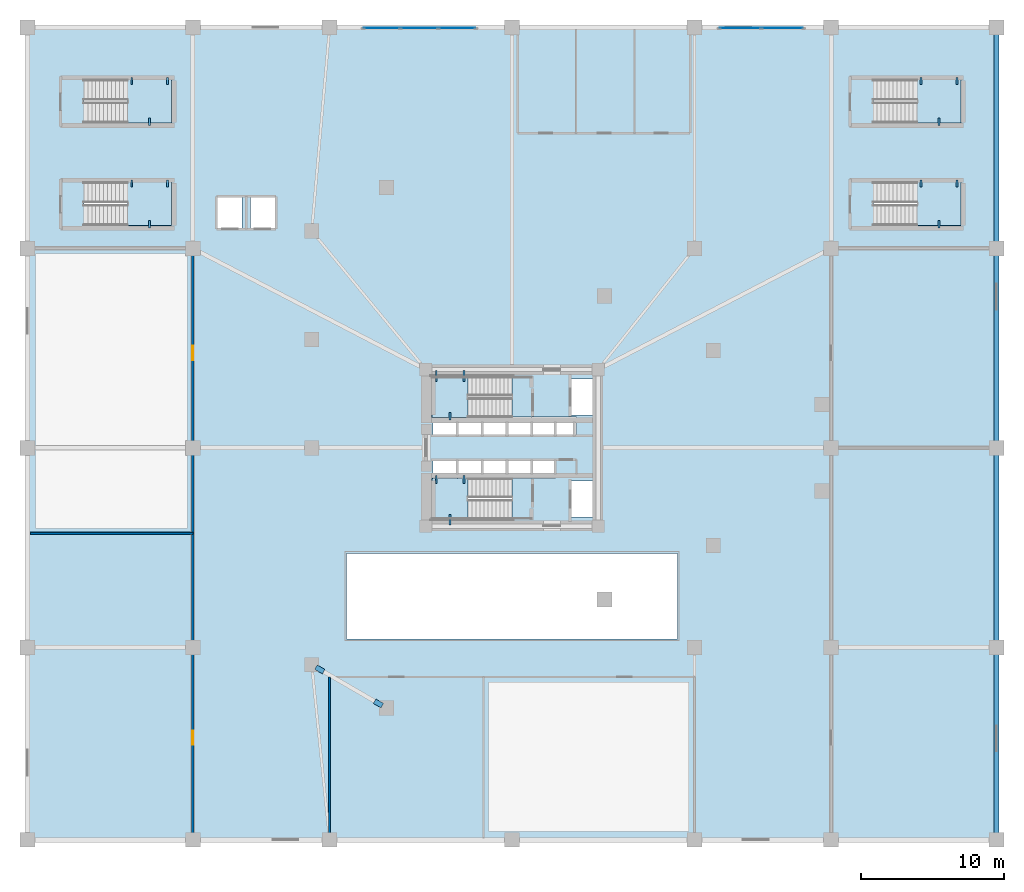
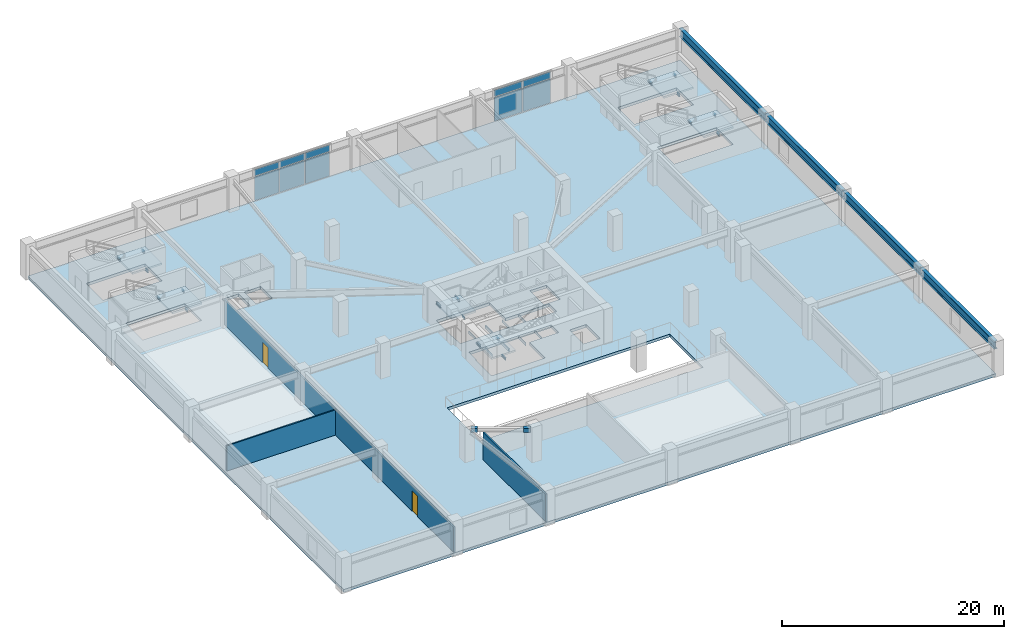
# One storey, part 3 of 16: 22 beams, 12 plates, 7 slabs, 3 walls, 2 doors, 2 openings, 8 elements without a shape of their own.
"""IFC4 building model written with IfcOpenShell, lengths in metres."""

import ifcopenshell
import ifcopenshell.guid

model = None  # the IFC model being written
_history = None  # IfcOwnerHistory: only IFC2X3 demands one
_inside = {}  # id of a spatial element -> (the spatial element, [elements in it])
_under = {}  # id of a project, library or spatial element -> (it, [spatial elements below it])
_declared = {}  # id of a project -> (the project, [libraries it declares])
_typed = {}  # id of a type object -> (the type object, [elements of that type])
_made_of = {}  # id of a material, layer set ... -> (it, [elements and type objects made of it])


def new_model(schema):
    """Start an empty IFC model of exactly this schema.

    Asked for "IFC4X3", IfcOpenShell would pick the latest addendum, in which some entities
    have other attributes; the version numbers below select the first issue.
    IFC2X3 requires an IfcOwnerHistory on every rooted entity: one is made here for all.
    """
    global model, _history
    if schema == "IFC4X3":
        model = ifcopenshell.file(schema_version=(4, 3, 0, 0))
    else:
        model = ifcopenshell.file(schema=schema)
    _inside.clear()
    _under.clear()
    _declared.clear()
    _typed.clear()
    _made_of.clear()
    _history = None
    if model.schema == "IFC2X3":
        org = make("IfcOrganization", Name="unknown")
        user = make(
            "IfcPersonAndOrganization",
            ThePerson=make("IfcPerson", FamilyName="unknown"),
            TheOrganization=org,
        )
        app = make(
            "IfcApplication",
            ApplicationDeveloper=org,
            Version="unknown",
            ApplicationFullName="unknown",
            ApplicationIdentifier="unknown",
        )
        _history = make(
            "IfcOwnerHistory",
            OwningUser=user,
            OwningApplication=app,
            ChangeAction="ADDED",
            CreationDate=0,
        )
    return model


def make(cls, **values):
    """One entity of the class cls with the attributes given. An attribute that is None is left unset."""
    return model.create_entity(
        cls, **{name: value for name, value in values.items() if value is not None}
    )


def rooted(cls, **values):
    """An entity with a GlobalId (a new one), such as an element, a storey or a relation."""
    return make(cls, GlobalId=ifcopenshell.guid.new(), OwnerHistory=_history, **values)


def si_unit(unit_type, name, prefix=None):
    """IfcSIUnit, for example si_unit("LENGTHUNIT", "METRE", prefix="MILLI")."""
    return make("IfcSIUnit", UnitType=unit_type, Prefix=prefix, Name=name)


def assignment(units):
    """IfcUnitAssignment: the units of a project."""
    return None if units is None else make("IfcUnitAssignment", Units=units)


def point(xyz):
    """IfcCartesianPoint."""
    return None if xyz is None else make("IfcCartesianPoint", Coordinates=xyz)


def direction(xyz):
    """IfcDirection."""
    return None if xyz is None else make("IfcDirection", DirectionRatios=xyz)


def frame(location, z_axis=None, x_axis=None):
    """IfcAxis2Placement3D, a coordinate frame: its origin and axes. An axis left out is left unset."""
    return make(
        "IfcAxis2Placement3D",
        Location=point(location),
        Axis=direction(z_axis),
        RefDirection=direction(x_axis),
    )


def frame_2d(location, x_axis=None):
    """IfcAxis2Placement2D, a coordinate frame in the plane: its origin and x axis."""
    return make(
        "IfcAxis2Placement2D", Location=point(location), RefDirection=direction(x_axis)
    )


def origin():
    """The frame at (0, 0, 0) with its axes left unset."""
    return frame((0.0, 0.0, 0.0))


def origin_2d():
    """The frame at (0, 0) in the plane with its x axis left unset."""
    return frame_2d((0.0, 0.0))


def place(relative_to, where):
    """IfcLocalPlacement: puts the frame where relative to a parent placement (None: the world)."""
    return make(
        "IfcLocalPlacement", PlacementRelTo=relative_to, RelativePlacement=where
    )


def context(
    kind, dimensions, precision=None, world=None, true_north=None, identifier=None
):
    """IfcGeometricRepresentationContext, for example the 3D "Model" context."""
    return make(
        "IfcGeometricRepresentationContext",
        ContextIdentifier=identifier,
        ContextType=kind,
        CoordinateSpaceDimension=dimensions,
        Precision=precision,
        WorldCoordinateSystem=world,
        TrueNorth=true_north,
    )


def subcontext(parent, identifier, kind, view, scale=None):
    """IfcGeometricRepresentationSubContext, for example "Body" below "Model"."""
    return make(
        "IfcGeometricRepresentationSubContext",
        ContextIdentifier=identifier,
        ContextType=kind,
        ParentContext=parent,
        TargetScale=scale,
        TargetView=view,
    )


def project(units=None, contexts=None):
    """IfcProject with its units and contexts."""
    return rooted(
        "IfcProject",
        Name="project",
        RepresentationContexts=contexts,
        UnitsInContext=assignment(units),
    )


def spatial(cls, under=None, at=None, **own):
    """A site, building, storey or space (cls), placed at a placement, below another one or the project."""
    s = rooted(cls, ObjectPlacement=at, **own)
    if under is not None:
        _under.setdefault(under.id(), (under, []))[1].append(s)
    return s


def polyline(points):
    """IfcPolyline through the points."""
    return make("IfcPolyline", Points=[point(p) for p in points])


def profile(cls, at=None, kind="AREA", **sizes):
    """A parametric profile (cls). Its sizes go by their IFC names, for example OverallWidth=200.0."""
    return make(cls, ProfileType=kind, Position=at, **sizes)


def rectangle(**sizes):
    """IfcRectangleProfileDef."""
    return profile("IfcRectangleProfileDef", **sizes)


def i_section(**sizes):
    """IfcIShapeProfileDef."""
    return profile("IfcIShapeProfileDef", **sizes)


def outline(outer, holes=None, kind="AREA"):
    """IfcArbitraryClosedProfileDef: a profile drawn as a closed curve; with holes, ...WithVoids."""
    if holes is None:
        return make("IfcArbitraryClosedProfileDef", ProfileType=kind, OuterCurve=outer)
    return make(
        "IfcArbitraryProfileDefWithVoids",
        ProfileType=kind,
        OuterCurve=outer,
        InnerCurves=holes,
    )


def extrude(swept, where, along, depth):
    """IfcExtrudedAreaSolid: the profile swept, set in the frame where, extruded along a direction by depth."""
    return make(
        "IfcExtrudedAreaSolid",
        SweptArea=swept,
        Position=where,
        ExtrudedDirection=direction(along),
        Depth=depth,
    )


def shape(context_of_items, identifier, shape_type, items):
    """IfcShapeRepresentation: the items that make up one representation, for example the "Body"."""
    return make(
        "IfcShapeRepresentation",
        ContextOfItems=context_of_items,
        RepresentationIdentifier=identifier,
        RepresentationType=shape_type,
        Items=items,
    )


def source(mapping_origin, context_of_items, identifier, shape_type, items):
    """IfcRepresentationMap: a shape defined once, which mapped items show again and again."""
    return make(
        "IfcRepresentationMap",
        MappingOrigin=mapping_origin,
        MappedRepresentation=shape(context_of_items, identifier, shape_type, items),
    )


def transform(
    local_origin,
    x_axis=None,
    y_axis=None,
    z_axis=None,
    scale=None,
    scale2=None,
    scale3=None,
    uniform=True,
):
    """IfcCartesianTransformationOperator3D, or its non-uniform kind. x_axis, y_axis, z_axis: its Axis1, 2, 3."""
    if uniform:
        return make(
            "IfcCartesianTransformationOperator3D",
            Axis1=direction(x_axis),
            Axis2=direction(y_axis),
            LocalOrigin=point(local_origin),
            Scale=scale,
            Axis3=direction(z_axis),
        )
    return make(
        "IfcCartesianTransformationOperator3DnonUniform",
        Axis1=direction(x_axis),
        Axis2=direction(y_axis),
        LocalOrigin=point(local_origin),
        Scale=scale,
        Axis3=direction(z_axis),
        Scale2=scale2,
        Scale3=scale3,
    )


def mapped(mapping_source, mapping_target):
    """IfcMappedItem: shows the shape of a source again, moved by a transform."""
    return make(
        "IfcMappedItem", MappingSource=mapping_source, MappingTarget=mapping_target
    )


def material(Name=None, Category=None):
    """IfcMaterial."""
    return make("IfcMaterial", Name=Name, Category=Category)


def layer(
    of_material, thickness, ventilated=None, Name=None, Category=None, Priority=None
):
    """IfcMaterialLayer: one layer of a wall or slab, of a material (None: an air gap)."""
    return make(
        "IfcMaterialLayer",
        Material=of_material,
        LayerThickness=thickness,
        IsVentilated=ventilated,
        Name=Name,
        Category=Category,
        Priority=Priority,
    )


def layer_set(layers, Name=None):
    """IfcMaterialLayerSet."""
    return make("IfcMaterialLayerSet", MaterialLayers=layers, LayerSetName=Name)


def material_profile(
    of_material, cross_section, Name=None, Category=None, Priority=None
):
    """IfcMaterialProfile: a cross section and its material."""
    return make(
        "IfcMaterialProfile",
        Name=Name,
        Material=of_material,
        Profile=cross_section,
        Priority=Priority,
        Category=Category,
    )


def profile_set(profiles, Name=None, composite=None):
    """IfcMaterialProfileSet."""
    return make(
        "IfcMaterialProfileSet",
        Name=Name,
        MaterialProfiles=profiles,
        CompositeProfile=composite,
    )


def made_of(thing, what):
    """Note that an element or type object is made of a material, layer set ...; save() writes the relation."""
    if what is not None:
        _made_of.setdefault(what.id(), (what, []))[1].append(thing)
    return thing


def type_object(cls, material=None, **own):
    """A type object (cls), such as IfcWallType, which elements share."""
    return made_of(rooted(cls, **own), material)


def element(
    cls,
    number,
    at=None,
    inside=None,
    cuts=None,
    type_object=None,
    material=None,
    context=None,
    identifier="Body",
    shape_type=None,
    held_by="IfcProductDefinitionShape",
    body=None,
    shapes=None,
    **own,
):
    """One element of the class cls, such as IfcWall. Its Tag is "e" and its number.

    at: its placement. inside: the storey or other place that contains it. cuts: it is an
    opening in that element (IfcRelVoidsElement). A single representation is given by context,
    identifier, shape_type and body (its items); several are given by shapes. held_by: the class
    of the entity that holds the representations. save() writes the other relations.
    """
    e = rooted(cls, Tag="e%d" % number, ObjectPlacement=at, **own)
    if body is not None:
        shapes = [shape(context, identifier, shape_type, body)]
    if shapes is not None:
        e.Representation = make(held_by, Representations=shapes)
    if inside is not None:
        _inside.setdefault(inside.id(), (inside, []))[1].append(e)
    if cuts is not None:
        rooted(
            "IfcRelVoidsElement", RelatingBuildingElement=cuts, RelatedOpeningElement=e
        )
    if type_object is not None:
        _typed.setdefault(type_object.id(), (type_object, []))[1].append(e)
    return made_of(e, material)


def fill(opening, filler):
    """IfcRelFillsElement: the door or window that sits in an opening."""
    return rooted(
        "IfcRelFillsElement",
        RelatingOpeningElement=opening,
        RelatedBuildingElement=filler,
    )


def aggregate(whole, parts):
    """IfcRelAggregates: a whole, such as a stair, and the parts it consists of."""
    return rooted("IfcRelAggregates", RelatingObject=whole, RelatedObjects=parts)


def save(model, path):
    """Write the relations noted so far, then the file.

    IfcRelAggregates (storeys below a building ...), IfcRelContainedInSpatialStructure (elements
    in a storey), IfcRelDefinesByType, IfcRelAssociatesMaterial and IfcRelDeclares: one each for
    every whole, place, type object, material and project.
    """
    for whole, parts in _under.values():
        aggregate(whole, parts)
    for where, things in _inside.values():
        rooted(
            "IfcRelContainedInSpatialStructure",
            RelatedElements=things,
            RelatingStructure=where,
        )
    for kind, things in _typed.values():
        rooted("IfcRelDefinesByType", RelatedObjects=things, RelatingType=kind)
    for what, things in _made_of.values():
        rooted("IfcRelAssociatesMaterial", RelatedObjects=things, RelatingMaterial=what)
    for by, libraries in _declared.values():
        rooted("IfcRelDeclares", RelatingContext=by, RelatedDefinitions=libraries)
    model.write(path)


model = new_model("IFC4")

# Units and contexts
model_context = context("Model", 3, precision=1e-05, world=origin(), true_north=direction((0.0, 1.0)))
body_context = subcontext(model_context, "Body", "Model", "MODEL_VIEW")
ifc_project = project(units=[si_unit("LENGTHUNIT", "METRE"), si_unit("AREAUNIT", "SQUARE_METRE"), si_unit("VOLUMEUNIT", "CUBIC_METRE"), si_unit("PLANEANGLEUNIT", "RADIAN"), si_unit("MASSUNIT", "GRAM", prefix="KILO")], contexts=[model_context])

# Site, building, storey
site_placement = place(None, origin())
site = spatial("IfcSite", under=ifc_project, at=site_placement, CompositionType="ELEMENT")
building_placement = place(site_placement, origin())
building = spatial("IfcBuilding", under=site, at=building_placement, Name="Yunling Apex Tower", CompositionType="ELEMENT")
storey_placement = place(building_placement, frame((0.0, 0.0, 4.5)))
storey = spatial("IfcBuildingStorey", under=building, at=storey_placement, Name="L02", CompositionType="ELEMENT", Elevation=4.5)

# Beams
ifc_material_1 = material(Name="Steel Q355B", Category="steel")
ifc_material_profile_1 = material_profile(ifc_material_1, i_section(OverallWidth=0.125, OverallDepth=0.25, WebThickness=0.006103515625, FlangeThickness=0.009033203125, FilletRadius=0.011962890625, at=origin_2d()))
ifc_profile_set_1 = profile_set([ifc_material_profile_1], Name="Steel Q355B")
beam_type_1 = type_object("IfcBeamType", Name="BL-LNT-1", PredefinedType="LINTEL", material=ifc_profile_set_1)
shared_shape_1 = source(origin(), body_context, "Body", "SweptSolid", [
    extrude(i_section(OverallWidth=0.125, OverallDepth=0.25, WebThickness=0.006103515625, FlangeThickness=0.009033203125, FilletRadius=0.011962890625, at=origin_2d()), origin(), (0.0, 0.0, 1.0), 0.760009765625),
])
for number, where, z_axis, x_axis, name in (
    (1, (-5.320068359375, 5.419921875, 1.6298828125), (0.0, -1.0, 0.0), (1.0, 0.0, 0.0), "L02 ST-1 Landing Bearing Corbel 1-1"),
    (2, (-3.3701171875, 5.419921875, 1.6298828125), (0.0, -1.0, 0.0), (1.0, 0.0, 0.0), "L02 ST-1 Landing Bearing Corbel 1-2"),
    (3, (-4.344970703125, -5.419921875, 1.6298828125), (0.0, 1.0, 0.0), (-1.0, 0.0, 0.0), "L02 ST-2 Landing Bearing Corbel 1-3"),
):
    element("IfcBeam", number, at=place(storey_placement, frame(where, z_axis=z_axis, x_axis=x_axis)), inside=storey, type_object=beam_type_1, Name=name, PredefinedType="LINTEL", context=body_context, shape_type="MappedRepresentation", body=[
        mapped(shared_shape_1, transform((0.0, 0.0, 0.0), scale=1.0)),
    ])
shared_shape_2 = source(origin(), body_context, "Body", "SweptSolid", [
    extrude(i_section(OverallWidth=0.125, OverallDepth=0.25, WebThickness=0.006103515625, FlangeThickness=0.009033203125, FilletRadius=0.011962890625, at=origin_2d()), origin(), (0.0, 0.0, 1.0), 0.550048828125),
])
for number, where, z_axis, x_axis, name in (
    (4, (-4.344970703125, 1.93994140625, 1.6298828125), (0.0, 1.0, 0.0), (-1.0, 0.0, 0.0), "L02 ST-1 Landing Bearing Corbel 1-3"),
    (5, (-5.320068359375, -1.93994140625, 1.6298828125), (0.0, -1.0, 0.0), (1.0, 0.0, 0.0), "L02 ST-2 Landing Bearing Corbel 1-1"),
    (6, (-3.3701171875, -1.93994140625, 1.6298828125), (0.0, -1.0, 0.0), (1.0, 0.0, 0.0), "L02 ST-2 Landing Bearing Corbel 1-2"),
):
    element("IfcBeam", number, at=place(storey_placement, frame(where, z_axis=z_axis, x_axis=x_axis)), inside=storey, type_object=beam_type_1, Name=name, PredefinedType="LINTEL", context=body_context, shape_type="MappedRepresentation", body=[
        mapped(shared_shape_2, transform((0.0, 0.0, 0.0), scale=1.0)),
    ])
shared_shape_3 = source(origin(), body_context, "Body", "SweptSolid", [
    extrude(i_section(OverallWidth=0.125, OverallDepth=0.25, WebThickness=0.006103515625, FlangeThickness=0.009033203125, FilletRadius=0.011962890625, at=origin_2d()), origin(), (0.0, 0.0, 1.0), 0.47998046875),
])
for number, where, z_axis, x_axis, name in (
    (7, (-26.68994140625, 18.780029296875, 1.6298828125), (0.0, -1.0, 0.0), (1.0, 0.0, 0.0), "L02 ST-P1 Landing Bearing Corbel 1-1"),
    (8, (-24.179931640625, 18.780029296875, 1.6298828125), (0.0, -1.0, 0.0), (1.0, 0.0, 0.0), "L02 ST-P1 Landing Bearing Corbel 1-2"),
    (9, (28.7099609375, 18.780029296875, 1.6298828125), (0.0, -1.0, 0.0), (1.0, 0.0, 0.0), "L02 ST-P2 Landing Bearing Corbel 1-1"),
    (10, (31.219970703125, 18.780029296875, 1.6298828125), (0.0, -1.0, 0.0), (1.0, 0.0, 0.0), "L02 ST-P2 Landing Bearing Corbel 1-2"),
    (11, (-26.68994140625, 25.97998046875, 1.6298828125), (0.0, -1.0, 0.0), (1.0, 0.0, 0.0), "L02 ST-G1 Landing Bearing Corbel 1-1"),
    (12, (-24.179931640625, 25.97998046875, 1.6298828125), (0.0, -1.0, 0.0), (1.0, 0.0, 0.0), "L02 ST-G1 Landing Bearing Corbel 1-2"),
    (13, (28.7099609375, 25.97998046875, 1.6298828125), (0.0, -1.0, 0.0), (1.0, 0.0, 0.0), "L02 ST-G2 Landing Bearing Corbel 1-1"),
    (14, (31.219970703125, 25.97998046875, 1.6298828125), (0.0, -1.0, 0.0), (1.0, 0.0, 0.0), "L02 ST-G2 Landing Bearing Corbel 1-2"),
):
    element("IfcBeam", number, at=place(storey_placement, frame(where, z_axis=z_axis, x_axis=x_axis)), inside=storey, type_object=beam_type_1, Name=name, PredefinedType="LINTEL", context=body_context, shape_type="MappedRepresentation", body=[
        mapped(shared_shape_3, transform((0.0, 0.0, 0.0), scale=1.0)),
    ])
shared_shape_4 = source(origin(), body_context, "Body", "SweptSolid", [
    extrude(i_section(OverallWidth=0.125, OverallDepth=0.25, WebThickness=0.006103515625, FlangeThickness=0.009033203125, FilletRadius=0.011962890625, at=origin_2d()), origin(), (0.0, 0.0, 1.0), 0.530029296875),
])
for number, where, z_axis, x_axis, name in (
    (15, (-25.43505859375, 15.419921875, 1.6298828125), (0.0, 1.0, 0.0), (-1.0, 0.0, 0.0), "L02 ST-P1 Landing Bearing Corbel 1-3"),
    (16, (29.965087890625, 15.419921875, 1.6298828125), (0.0, 1.0, 0.0), (-1.0, 0.0, 0.0), "L02 ST-P2 Landing Bearing Corbel 1-3"),
):
    element("IfcBeam", number, at=place(storey_placement, frame(where, z_axis=z_axis, x_axis=x_axis)), inside=storey, type_object=beam_type_1, Name=name, PredefinedType="LINTEL", context=body_context, shape_type="MappedRepresentation", body=[
        mapped(shared_shape_4, transform((0.0, 0.0, 0.0), scale=1.0)),
    ])
shared_shape_5 = source(origin(), body_context, "Body", "SweptSolid", [
    extrude(i_section(OverallWidth=0.125, OverallDepth=0.25, WebThickness=0.006103515625, FlangeThickness=0.009033203125, FilletRadius=0.011962890625, at=origin_2d()), origin(), (0.0, 0.0, 1.0), 0.52978515625),
])
for number, where, z_axis, x_axis, name in (
    (17, (-25.43505859375, 22.6201171875, 1.6298828125), (0.0, 1.0, 0.0), (-1.0, 0.0, 0.0), "L02 ST-G1 Landing Bearing Corbel 1-3"),
    (18, (29.965087890625, 22.6201171875, 1.6298828125), (0.0, 1.0, 0.0), (-1.0, 0.0, 0.0), "L02 ST-G2 Landing Bearing Corbel 1-3"),
):
    element("IfcBeam", number, at=place(storey_placement, frame(where, z_axis=z_axis, x_axis=x_axis)), inside=storey, type_object=beam_type_1, Name=name, PredefinedType="LINTEL", context=body_context, shape_type="MappedRepresentation", body=[
        mapped(shared_shape_5, transform((0.0, 0.0, 0.0), scale=1.0)),
    ])
ifc_material_profile_2 = material_profile(ifc_material_1, i_section(OverallWidth=0.35009765625, OverallDepth=0.89990234375, WebThickness=0.01806640625, FlangeThickness=0.028076171875, FilletRadius=0.02392578125, at=origin_2d()))
ifc_profile_set_2 = profile_set([ifc_material_profile_2], Name="Steel Q355B")
beam_type_2 = type_object("IfcBeamType", Name="BG-PRI-1", PredefinedType="USERDEFINED", material=ifc_profile_set_2)
shared_shape_6 = source(origin(), body_context, "Body", "SweptSolid", [
    extrude(i_section(OverallWidth=0.35009765625, OverallDepth=0.89990234375, WebThickness=0.01806640625, FlangeThickness=0.028076171875, FilletRadius=0.02392578125, at=origin_2d()), origin(), (0.0, 0.0, 1.0), 13.419921875),
])
beam_1_placement = place(storey_placement, frame((34.0, -27.4599609375, 3.139892578125), z_axis=(0.0, 1.0, 0.0), x_axis=(-1.0, 0.0, 0.0)))
element("IfcBeam", 19, at=beam_1_placement, inside=storey, type_object=beam_type_2, Name="L02 Podium Side Girder 17", ObjectType="GIRDER", PredefinedType="USERDEFINED", context=body_context, shape_type="MappedRepresentation", body=[
    mapped(shared_shape_6, transform((0.0, 0.0, 0.0), scale=1.0)),
])
shared_shape_7 = source(origin(), body_context, "Body", "SweptSolid", [
    extrude(i_section(OverallWidth=0.35009765625, OverallDepth=0.89990234375, WebThickness=0.01806640625, FlangeThickness=0.028076171875, FilletRadius=0.02392578125, at=origin_2d()), origin(), (0.0, 0.0, 1.0), 13.919921875),
])
for number, where, z_axis, x_axis, name in (
    (20, (34.0, -13.9599609375, 3.139892578125), (0.0, 1.0, 0.0), (-1.0, 0.0, 0.0), "L02 Podium Side Girder 18"),
    (21, (34.0, 0.0400390625, 3.139892578125), (0.0, 1.0, 0.0), (-1.0, 0.0, 0.0), "L02 Podium Side Girder 19"),
):
    element("IfcBeam", number, at=place(storey_placement, frame(where, z_axis=z_axis, x_axis=x_axis)), inside=storey, type_object=beam_type_2, Name=name, ObjectType="GIRDER", PredefinedType="USERDEFINED", context=body_context, shape_type="MappedRepresentation", body=[
        mapped(shared_shape_7, transform((0.0, 0.0, 0.0), scale=1.0)),
    ])
shared_shape_8 = source(origin(), body_context, "Body", "SweptSolid", [
    extrude(i_section(OverallWidth=0.35009765625, OverallDepth=0.89990234375, WebThickness=0.01806640625, FlangeThickness=0.028076171875, FilletRadius=0.02392578125, at=origin_2d()), origin(), (0.0, 0.0, 1.0), 15.419921875),
])
beam_2_placement = place(storey_placement, frame((34.0, 14.0400390625, 3.139892578125), z_axis=(0.0, 1.0, 0.0), x_axis=(-1.0, 0.0, 0.0)))
element("IfcBeam", 22, at=beam_2_placement, inside=storey, type_object=beam_type_2, Name="L02 Podium Side Girder 20", ObjectType="GIRDER", PredefinedType="USERDEFINED", context=body_context, shape_type="MappedRepresentation", body=[
    mapped(shared_shape_8, transform((0.0, 0.0, 0.0), scale=1.0)),
])

# Stair, slab
ifc_material_2 = material(Name="Concrete C40", Category="concrete")
stair_type_1 = type_object("IfcStairType", Name="ST-TWR-1", PredefinedType="HALF_TURN_STAIR", material=ifc_material_2)
stair_1_placement = place(storey_placement, origin())
stair_1 = element("IfcStair", 23, at=stair_1_placement, inside=storey, type_object=stair_type_1, Name="L02 North Core Smokeproof Exit Stair ST-1", PredefinedType="HALF_TURN_STAIR")
ifc_layer_1 = layer(ifc_material_2, 0.195068359375)
ifc_layer_set_1 = layer_set([ifc_layer_1], Name="Concrete C40")
slab_type_1 = type_object("IfcSlabType", Name="SL-LND-1", PredefinedType="LANDING", material=ifc_layer_set_1)
slab_1_placement = place(storey_placement, frame((0.0, 0.0, 1.7548828125)))
slab_1 = element("IfcSlab", 24, at=slab_1_placement, type_object=slab_type_1, Name="ST-1 landing 1", PredefinedType="LANDING", context=body_context, shape_type="SweptSolid", body=[
    extrude(outline(polyline([(-3.090087890625, 5.010009765625), (-5.60009765625, 5.010009765625), (-5.60009765625, 2.139892578125), (-3.090087890625, 2.139892578125), (-3.090087890625, 5.010009765625)])), origin(), (0.0, 0.0, 1.0), 0.195068359375),
])
aggregate(stair_1, [slab_1])

stair_2_placement = place(storey_placement, origin())
stair_2 = element("IfcStair", 25, at=stair_2_placement, inside=storey, type_object=stair_type_1, Name="L02 South Core Smokeproof Exit Stair ST-2", PredefinedType="HALF_TURN_STAIR")
slab_2_placement = place(storey_placement, frame((0.0, 0.0, 1.7548828125)))
slab_2 = element("IfcSlab", 26, at=slab_2_placement, type_object=slab_type_1, Name="ST-2 landing 1", PredefinedType="LANDING", context=body_context, shape_type="SweptSolid", body=[
    extrude(outline(polyline([(-3.090087890625, -2.139892578125), (-5.60009765625, -2.139892578125), (-5.60009765625, -5.010009765625), (-3.090087890625, -5.010009765625), (-3.090087890625, -2.139892578125)])), origin(), (0.0, 0.0, 1.0), 0.195068359375),
])
aggregate(stair_2, [slab_2])

stair_type_2 = type_object("IfcStairType", Name="ST-POD-1", PredefinedType="HALF_TURN_STAIR", material=ifc_material_2)
stair_3_placement = place(storey_placement, origin())
stair_3 = element("IfcStair", 27, at=stair_3_placement, inside=storey, type_object=stair_type_2, Name="L02 West Podium Smokeproof Stair ST-P1", PredefinedType="HALF_TURN_STAIR")
slab_3_placement = place(storey_placement, frame((0.0, 0.0, 1.7548828125)))
slab_3 = element("IfcSlab", 28, at=slab_3_placement, type_object=slab_type_1, Name="ST-P1 landing 1", PredefinedType="LANDING", context=body_context, shape_type="SweptSolid", body=[
    extrude(outline(polyline([(-26.969970703125, 15.60009765625), (-23.89990234375, 15.60009765625), (-23.89990234375, 18.64990234375), (-26.969970703125, 18.64990234375), (-26.969970703125, 15.60009765625)])), origin(), (0.0, 0.0, 1.0), 0.195068359375),
])
aggregate(stair_3, [slab_3])

stair_4_placement = place(storey_placement, origin())
stair_4 = element("IfcStair", 29, at=stair_4_placement, inside=storey, type_object=stair_type_2, Name="L02 East Podium Smokeproof Stair ST-P2", PredefinedType="HALF_TURN_STAIR")
slab_4_placement = place(storey_placement, frame((0.0, 0.0, 1.7548828125)))
slab_4 = element("IfcSlab", 30, at=slab_4_placement, type_object=slab_type_1, Name="ST-P2 landing 1", PredefinedType="LANDING", context=body_context, shape_type="SweptSolid", body=[
    extrude(outline(polyline([(28.429931640625, 15.60009765625), (31.5, 15.60009765625), (31.5, 18.64990234375), (28.429931640625, 18.64990234375), (28.429931640625, 15.60009765625)])), origin(), (0.0, 0.0, 1.0), 0.195068359375),
])
aggregate(stair_4, [slab_4])

stair_type_3 = type_object("IfcStairType", Name="ST-GDN-1", PredefinedType="STRAIGHT_RUN_STAIR", material=ifc_material_2)
stair_5_placement = place(storey_placement, origin())
stair_5 = element("IfcStair", 31, at=stair_5_placement, inside=storey, type_object=stair_type_3, Name="L02 West Plaza-to-Garden External Stair ST-G1", PredefinedType="HALF_TURN_STAIR")
slab_5_placement = place(storey_placement, frame((0.0, 0.0, 1.7548828125)))
slab_5 = element("IfcSlab", 32, at=slab_5_placement, type_object=slab_type_1, Name="ST-G1 landing 1", PredefinedType="LANDING", context=body_context, shape_type="SweptSolid", body=[
    extrude(outline(polyline([(-26.969970703125, 22.800048828125), (-23.89990234375, 22.800048828125), (-23.89990234375, 25.85009765625), (-26.969970703125, 25.85009765625), (-26.969970703125, 22.800048828125)])), origin(), (0.0, 0.0, 1.0), 0.195068359375),
])
aggregate(stair_5, [slab_5])

stair_6_placement = place(storey_placement, origin())
stair_6 = element("IfcStair", 33, at=stair_6_placement, inside=storey, type_object=stair_type_3, Name="L02 East Plaza-to-Garden External Stair ST-G2", PredefinedType="HALF_TURN_STAIR")
slab_6_placement = place(storey_placement, frame((0.0, 0.0, 1.7548828125)))
slab_6 = element("IfcSlab", 34, at=slab_6_placement, type_object=slab_type_1, Name="ST-G2 landing 1", PredefinedType="LANDING", context=body_context, shape_type="SweptSolid", body=[
    extrude(outline(polyline([(28.429931640625, 22.800048828125), (31.5, 22.800048828125), (31.5, 25.85009765625), (28.429931640625, 25.85009765625), (28.429931640625, 22.800048828125)])), origin(), (0.0, 0.0, 1.0), 0.195068359375),
])
aggregate(stair_6, [slab_6])

# Slab
ifc_layer_2 = layer(ifc_material_2, 0.31005859375)
ifc_layer_set_2 = layer_set([ifc_layer_2], Name="Concrete C40")
slab_type_2 = type_object("IfcSlabType", Name="SL-POD-2", PredefinedType="FLOOR", material=ifc_layer_set_2)
slab_7_placement = place(storey_placement, frame((0.0, 0.0, -0.31005859375)))
element("IfcSlab", 35, at=slab_7_placement, inside=storey, type_object=slab_type_2, Name="L02 Structural Floor Slab", PredefinedType="FLOOR", context=body_context, shape_type="SweptSolid", body=[
    extrude(outline(polyline([(-34.0, -27.5), (34.0, -27.5), (34.0, 29.5), (-34.0, 29.5), (-34.0, -27.5)]), holes=[polyline([(31.5, 15.60009765625), (25.35009765625, 15.60009765625), (25.35009765625, 18.64990234375), (31.5, 18.64990234375), (31.5, 15.60009765625)]), polyline([(31.5, 22.800048828125), (25.35009765625, 22.800048828125), (25.35009765625, 25.85009765625), (31.5, 25.85009765625), (31.5, 22.800048828125)]), polyline([(11.60009765625, -7.39990234375), (11.60009765625, -13.39990234375), (-11.60009765625, -13.39990234375), (-11.60009765625, -7.39990234375), (11.60009765625, -7.39990234375)]), polyline([(5.81005859375, -2.320068359375), (5.81005859375, -4.840087890625), (4.090087890625, -4.840087890625), (4.090087890625, -2.320068359375), (5.81005859375, -2.320068359375)]), polyline([(5.81005859375, 4.840087890625), (5.81005859375, 2.320068359375), (4.090087890625, 2.320068359375), (4.090087890625, 4.840087890625), (5.81005859375, 4.840087890625)]), polyline([(4.534912109375, 0.794921875), (1.364990234375, 0.794921875), (1.364990234375, 2.1650390625), (4.534912109375, 2.1650390625), (4.534912109375, 0.794921875)]), polyline([(3.034912109375, -2.1650390625), (1.364990234375, -2.1650390625), (1.364990234375, -0.794921875), (3.034912109375, -0.794921875), (3.034912109375, -2.1650390625)]), polyline([(-5.60009765625, 5.010009765625), (-0.010009765625, 5.010009765625), (-0.010009765625, 2.1650390625), (1.3349609375, 2.1650390625), (1.3349609375, 0.794921875), (-0.3349609375, 0.794921875), (-0.3349609375, 2.139892578125), (-0.364990234375, 2.139892578125), (-0.364990234375, 0.794921875), (-2.034912109375, 0.794921875), (-2.034912109375, 2.139892578125), (-2.1650390625, 2.139892578125), (-2.1650390625, 0.794921875), (-3.8349609375, 0.794921875), (-3.8349609375, 2.139892578125), (-3.864990234375, 2.139892578125), (-3.864990234375, 0.794921875), (-5.534912109375, 0.794921875), (-5.534912109375, 2.139892578125), (-5.60009765625, 2.139892578125), (-5.60009765625, 5.010009765625)]), polyline([(-3.864990234375, -0.794921875), (-3.864990234375, -2.139892578125), (-3.8349609375, -2.139892578125), (-3.8349609375, -0.794921875), (-2.1650390625, -0.794921875), (-2.1650390625, -2.139892578125), (-2.034912109375, -2.139892578125), (-2.034912109375, -0.794921875), (-0.364990234375, -0.794921875), (-0.364990234375, -2.139892578125), (-0.3349609375, -2.139892578125), (-0.3349609375, -0.794921875), (1.3349609375, -0.794921875), (1.3349609375, -2.1650390625), (-0.010009765625, -2.1650390625), (-0.010009765625, -5.010009765625), (-5.60009765625, -5.010009765625), (-5.60009765625, -2.139892578125), (-5.534912109375, -2.139892578125), (-5.534912109375, -0.794921875), (-3.864990234375, -0.794921875)]), polyline([(-16.639892578125, 17.56005859375), (-16.639892578125, 15.43994140625), (-18.360107421875, 15.43994140625), (-18.360107421875, 17.56005859375), (-16.639892578125, 17.56005859375)]), polyline([(-18.93994140625, 15.43994140625), (-20.659912109375, 15.43994140625), (-20.659912109375, 17.56005859375), (-18.93994140625, 17.56005859375), (-18.93994140625, 15.43994140625)]), polyline([(-23.89990234375, 15.60009765625), (-30.050048828125, 15.60009765625), (-30.050048828125, 18.64990234375), (-23.89990234375, 18.64990234375), (-23.89990234375, 15.60009765625)]), polyline([(-23.89990234375, 22.800048828125), (-30.050048828125, 22.800048828125), (-30.050048828125, 25.85009765625), (-23.89990234375, 25.85009765625), (-23.89990234375, 22.800048828125)])]), origin(), (0.0, 0.0, 1.0), 0.31005859375),
])

# Plates
ifc_layer_3 = layer(ifc_material_1, 0.031982421875)
ifc_layer_set_3 = layer_set([ifc_layer_3], Name="Steel Q355B")
plate_type_1 = type_object("IfcPlateType", Name="NP-GUS-2", PredefinedType="USERDEFINED", material=ifc_layer_set_3)
shared_shape_9 = source(origin(), body_context, "Body", "SweptSolid", [
    extrude(rectangle(XDim=0.6201171875, YDim=0.360107421875, at=origin_2d()), origin(), (0.0, 0.0, 1.0), 0.47998046875),
])
for number, where, z_axis, x_axis, name in (
    (36, (-13.48779296875, -15.546142578125, 3.0), (0.0, 0.0, 1.0), (0.864976307593, -0.501812701416, 0.0), "L02 Atrium Tie Strut End Gusset Plate 434"),
    (37, (-9.372314453125, -17.933837890625, 3.0), (0.0, 0.0, 1.0), (0.864976307593, -0.501812701416, 0.0), "L02 Atrium Tie Strut End Gusset Plate 435"),
):
    element("IfcPlate", number, at=place(storey_placement, frame(where, z_axis=z_axis, x_axis=x_axis)), inside=storey, type_object=plate_type_1, Name=name, ObjectType="GUSSET_PLATE", PredefinedType="USERDEFINED", context=body_context, shape_type="MappedRepresentation", body=[
        mapped(shared_shape_9, transform((0.0, 0.0, 0.0), scale=1.0)),
    ])

# Curtain wall, plates
ifc_material_3 = material(Name="Bronze anodised aluminium", Category="aluminium")
ifc_layer_4 = layer(ifc_material_3, 0.280029296875)
ifc_layer_set_4 = layer_set([ifc_layer_4], Name="Bronze anodised aluminium")
curtain_wall_type = type_object("IfcCurtainWallType", Name="CW-SYS-1", PredefinedType="NOTDEFINED", material=ifc_layer_set_4)
curtain_wall_1_placement = place(storey_placement, origin())
curtain_wall_1 = element("IfcCurtainWall", 38, at=curtain_wall_1_placement, inside=storey, type_object=curtain_wall_type, Name="CW-POD-L02-1", PredefinedType="NOTDEFINED")
ifc_material_4 = material(Name="Bronze tinted low-E glass", Category="glass")
ifc_layer_5 = layer(ifc_material_4, 0.035888671875)
ifc_layer_set_5 = layer_set([ifc_layer_5], Name="Bronze tinted low-E glass")
plate_type_2 = type_object("IfcPlateType", Name="CW-PNL-1", PredefinedType="CURTAIN_PANEL", material=ifc_layer_set_5)
shared_shape_10 = source(origin(), body_context, "Body", "SweptSolid", [
    extrude(rectangle(XDim=2.548583984375, YDim=0.035888671875, at=origin_2d()), origin(), (0.0, 0.0, 1.0), 0.73193359375),
])
plate_1_placement = place(storey_placement, frame((-9.144287109375, 29.449951171875, 2.776611328125), z_axis=(0.0, 0.0, 1.0), x_axis=(1.0, 0.0, 0.0)))
plate_1 = element("IfcPlate", 39, at=plate_1_placement, type_object=plate_type_2, Name="CW-SYS-1 panel 1.2", PredefinedType="CURTAIN_PANEL", context=body_context, shape_type="MappedRepresentation", body=[
    mapped(shared_shape_10, transform((0.0, 0.0, 0.0), scale=1.0)),
])
plate_2_placement = place(storey_placement, frame((-3.855712890625, 29.449951171875, 2.776611328125), z_axis=(0.0, 0.0, 1.0), x_axis=(1.0, 0.0, 0.0)))
plate_2 = element("IfcPlate", 40, at=plate_2_placement, type_object=plate_type_2, Name="CW-SYS-1 panel 3.2", PredefinedType="CURTAIN_PANEL", context=body_context, shape_type="MappedRepresentation", body=[
    mapped(shared_shape_10, transform((0.0, 0.0, 0.0), scale=1.0)),
])
shared_shape_11 = source(origin(), body_context, "Body", "SweptSolid", [
    extrude(rectangle(XDim=2.59375, YDim=0.035888671875, at=origin_2d()), origin(), (0.0, 0.0, 1.0), 0.73193359375),
])
plate_3_placement = place(storey_placement, frame((-6.5, 29.449951171875, 2.776611328125), z_axis=(0.0, 0.0, 1.0), x_axis=(1.0, 0.0, 0.0)))
plate_3 = element("IfcPlate", 41, at=plate_3_placement, type_object=plate_type_2, Name="CW-SYS-1 panel 2.2", PredefinedType="CURTAIN_PANEL", context=body_context, shape_type="MappedRepresentation", body=[
    mapped(shared_shape_11, transform((0.0, 0.0, 0.0), scale=1.0)),
])

curtain_wall_2_placement = place(storey_placement, origin())
curtain_wall_2 = element("IfcCurtainWall", 42, at=curtain_wall_2_placement, inside=storey, type_object=curtain_wall_type, Name="CW-POD-L02-2", PredefinedType="NOTDEFINED")
shared_shape_12 = source(origin(), body_context, "Body", "SweptSolid", [
    extrude(rectangle(XDim=2.882080078125, YDim=0.035888671875, at=origin_2d()), origin(), (0.0, 0.0, 1.0), 0.73193359375),
])
plate_4_placement = place(storey_placement, frame((16.0224609375, 29.449951171875, 2.776611328125), z_axis=(0.0, 0.0, 1.0), x_axis=(1.0, 0.0, 0.0)))
plate_4 = element("IfcPlate", 43, at=plate_4_placement, type_object=plate_type_2, Name="CW-SYS-1 panel 1.2", PredefinedType="CURTAIN_PANEL", context=body_context, shape_type="MappedRepresentation", body=[
    mapped(shared_shape_12, transform((0.0, 0.0, 0.0), scale=1.0)),
])
plate_5_placement = place(storey_placement, frame((18.9775390625, 29.449951171875, 2.776611328125), z_axis=(0.0, 0.0, 1.0), x_axis=(1.0, 0.0, 0.0)))
plate_5 = element("IfcPlate", 44, at=plate_5_placement, type_object=plate_type_2, Name="CW-SYS-1 panel 2.2", PredefinedType="CURTAIN_PANEL", context=body_context, shape_type="MappedRepresentation", body=[
    mapped(shared_shape_12, transform((0.0, 0.0, 0.0), scale=1.0)),
])

# Plate
shared_shape_13 = source(origin(), body_context, "Body", "SweptSolid", [
    extrude(rectangle(XDim=2.548583984375, YDim=0.035888671875, at=origin_2d()), origin(), (0.0, 0.0, 1.0), 2.6220703125),
])
plate_6_placement = place(storey_placement, frame((-9.144287109375, 29.449951171875, 0.08154296875), z_axis=(0.0, 0.0, 1.0), x_axis=(1.0, 0.0, 0.0)))
plate_6 = element("IfcPlate", 45, at=plate_6_placement, type_object=plate_type_2, Name="CW-SYS-1 panel 1.1", PredefinedType="CURTAIN_PANEL", context=body_context, shape_type="MappedRepresentation", body=[
    mapped(shared_shape_13, transform((0.0, 0.0, 0.0), scale=1.0)),
])

plate_7_placement = place(storey_placement, frame((-3.855712890625, 29.449951171875, 0.08154296875), z_axis=(0.0, 0.0, 1.0), x_axis=(1.0, 0.0, 0.0)))
plate_7 = element("IfcPlate", 46, at=plate_7_placement, type_object=plate_type_2, Name="CW-SYS-1 panel 3.1", PredefinedType="CURTAIN_PANEL", context=body_context, shape_type="MappedRepresentation", body=[
    mapped(shared_shape_13, transform((0.0, 0.0, 0.0), scale=1.0)),
])

shared_shape_14 = source(origin(), body_context, "Body", "SweptSolid", [
    extrude(rectangle(XDim=2.59375, YDim=0.035888671875, at=origin_2d()), origin(), (0.0, 0.0, 1.0), 2.6220703125),
])
plate_8_placement = place(storey_placement, frame((-6.5, 29.449951171875, 0.08154296875), z_axis=(0.0, 0.0, 1.0), x_axis=(1.0, 0.0, 0.0)))
plate_8 = element("IfcPlate", 47, at=plate_8_placement, type_object=plate_type_2, Name="CW-SYS-1 panel 2.1", PredefinedType="CURTAIN_PANEL", context=body_context, shape_type="MappedRepresentation", body=[
    mapped(shared_shape_14, transform((0.0, 0.0, 0.0), scale=1.0)),
])

aggregate(curtain_wall_1, [plate_6, plate_1, plate_8, plate_3, plate_7, plate_2])

shared_shape_15 = source(origin(), body_context, "Body", "SweptSolid", [
    extrude(rectangle(XDim=2.882080078125, YDim=0.035888671875, at=origin_2d()), origin(), (0.0, 0.0, 1.0), 2.6220703125),
])
plate_9_placement = place(storey_placement, frame((16.0224609375, 29.449951171875, 0.08154296875), z_axis=(0.0, 0.0, 1.0), x_axis=(1.0, 0.0, 0.0)))
plate_9 = element("IfcPlate", 48, at=plate_9_placement, type_object=plate_type_2, Name="CW-SYS-1 panel 1.1", PredefinedType="CURTAIN_PANEL", context=body_context, shape_type="MappedRepresentation", body=[
    mapped(shared_shape_15, transform((0.0, 0.0, 0.0), scale=1.0)),
])

plate_10_placement = place(storey_placement, frame((18.9775390625, 29.449951171875, 0.08154296875), z_axis=(0.0, 0.0, 1.0), x_axis=(1.0, 0.0, 0.0)))
plate_10 = element("IfcPlate", 49, at=plate_10_placement, type_object=plate_type_2, Name="CW-SYS-1 panel 2.1", PredefinedType="CURTAIN_PANEL", context=body_context, shape_type="MappedRepresentation", body=[
    mapped(shared_shape_15, transform((0.0, 0.0, 0.0), scale=1.0)),
])

aggregate(curtain_wall_2, [plate_9, plate_4, plate_10, plate_5])

# Wall, openings, doors
ifc_material_5 = material(Name="Gypsum board acoustic partition")
ifc_layer_6 = layer(ifc_material_5, 0.159912109375)
ifc_layer_set_6 = layer_set([ifc_layer_6], Name="Gypsum board acoustic partition")
wall_type_1 = type_object("IfcWallType", Name="WL-PRT-1", PredefinedType="PARTITIONING", material=ifc_layer_set_6)
wall_1_placement = place(storey_placement, frame((-22.39990234375, -27.35009765625, 0.0), z_axis=(0.0, 0.0, 1.0), x_axis=(0.0, 1.0, 0.0)))
wall_1 = element("IfcWall", 50, at=wall_1_placement, inside=storey, type_object=wall_type_1, Name="WL-L02-WE", PredefinedType="PARTITIONING", context=body_context, shape_type="SweptSolid", body=[
    extrude(rectangle(XDim=41.35009765625, YDim=0.159912109375, at=frame_2d((20.675048828125, 0.0))), origin(), (0.0, 0.0, 1.0), 2.77490234375),
])
opening_1_placement = place(wall_1_placement, frame((6.5, 0.0, 0.0)))
opening_1 = element("IfcOpeningElement", 51, at=opening_1_placement, cuts=wall_1, Name="Opening DR-OFF-1", PredefinedType="OPENING", context=body_context, shape_type="SweptSolid", body=[
    extrude(rectangle(XDim=1.0, YDim=2.25, at=frame_2d((0.5, 1.125))), frame((0.0, 0.08984375, 0.0), z_axis=(0.0, -1.0, 0.0), x_axis=(1.0, 0.0, 0.0)), (0.0, 0.0, 1.0), 0.179931640625),
])
opening_2_placement = place(wall_1_placement, frame((33.5, 0.0, 0.0)))
opening_2 = element("IfcOpeningElement", 52, at=opening_2_placement, cuts=wall_1, Name="Opening DR-OFF-1", PredefinedType="OPENING", context=body_context, shape_type="SweptSolid", body=[
    extrude(rectangle(XDim=1.0, YDim=2.25, at=frame_2d((0.5, 1.125))), frame((0.0, 0.08984375, 0.0), z_axis=(0.0, -1.0, 0.0), x_axis=(1.0, 0.0, 0.0)), (0.0, 0.0, 1.0), 0.179931640625),
])
door_type = type_object("IfcDoorType", Name="DR-OFF-1", OperationType="NOTDEFINED", PredefinedType="DOOR", material=ifc_material_3)
door_1_placement = place(opening_1_placement, origin())
door_1 = element("IfcDoor", 53, at=door_1_placement, inside=storey, type_object=door_type, Name="L02 Flagship Retail Store Door", OperationType="SINGLE_SWING_RIGHT", OverallHeight=2.25, OverallWidth=1.0, PredefinedType="DOOR", context=body_context, shape_type="SweptSolid", body=[
    extrude(rectangle(XDim=1.0, YDim=2.25, at=frame_2d((0.5, 1.125))), frame((0.0, 0.02490234375, 0.0), z_axis=(0.0, -1.0, 0.0), x_axis=(1.0, 0.0, 0.0)), (0.0, 0.0, 1.0), 0.050048828125),
])
fill(opening_1, door_1)
door_2_placement = place(opening_2_placement, origin())
door_2 = element("IfcDoor", 54, at=door_2_placement, inside=storey, type_object=door_type, Name="L02 Boutique Retail Showroom Door", OperationType="SINGLE_SWING_LEFT", OverallHeight=2.25, OverallWidth=1.0, PredefinedType="DOOR", context=body_context, shape_type="SweptSolid", body=[
    extrude(rectangle(XDim=1.0, YDim=2.25, at=frame_2d((0.5, 1.125))), frame((0.0, 0.02490234375, 0.0), z_axis=(0.0, -1.0, 0.0), x_axis=(1.0, 0.0, 0.0)), (0.0, 0.0, 1.0), 0.050048828125),
])
fill(opening_2, door_2)

# Walls
wall_2_placement = place(storey_placement, frame((-12.800048828125, -27.35009765625, 0.0), z_axis=(0.0, 0.0, 1.0), x_axis=(0.0, 1.0, 0.0)))
element("IfcWall", 55, at=wall_2_placement, inside=storey, type_object=wall_type_1, Name="WL-L02-SW", PredefinedType="PARTITIONING", context=body_context, shape_type="SweptSolid", body=[
    extrude(rectangle(XDim=11.27001953125, YDim=0.159912109375, at=frame_2d((5.635009765625, 0.0))), origin(), (0.0, 0.0, 1.0), 3.02490234375),
])
ifc_layer_7 = layer(ifc_material_5, 0.139892578125)
ifc_layer_set_7 = layer_set([ifc_layer_7], Name="Gypsum board acoustic partition")
wall_type_2 = type_object("IfcWallType", Name="WL-PRT-2", PredefinedType="PARTITIONING", material=ifc_layer_set_7)
wall_3_placement = place(storey_placement, frame((-33.800048828125, -6.0, 0.0), z_axis=(0.0, 0.0, 1.0), x_axis=(1.0, 0.0, 0.0)))
element("IfcWall", 56, at=wall_3_placement, inside=storey, type_object=wall_type_2, Name="WL-L02-WM", PredefinedType="PARTITIONING", context=body_context, shape_type="SweptSolid", body=[
    extrude(rectangle(XDim=11.400146484375, YDim=0.139892578125, at=frame_2d((5.7001953125, 0.0))), origin(), (0.0, 0.0, 1.0), 2.77490234375),
])

save(model, "model.ifc")
